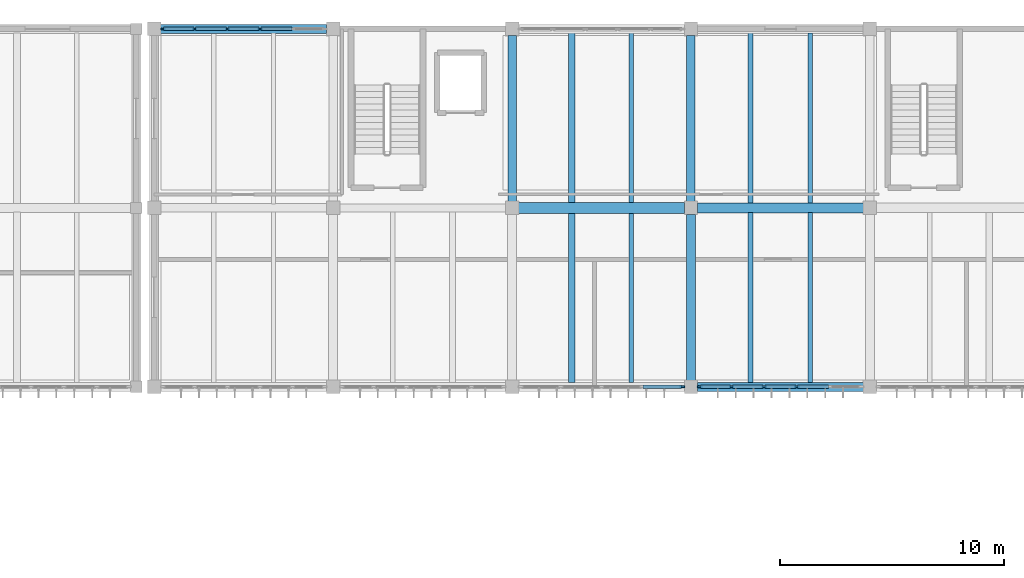
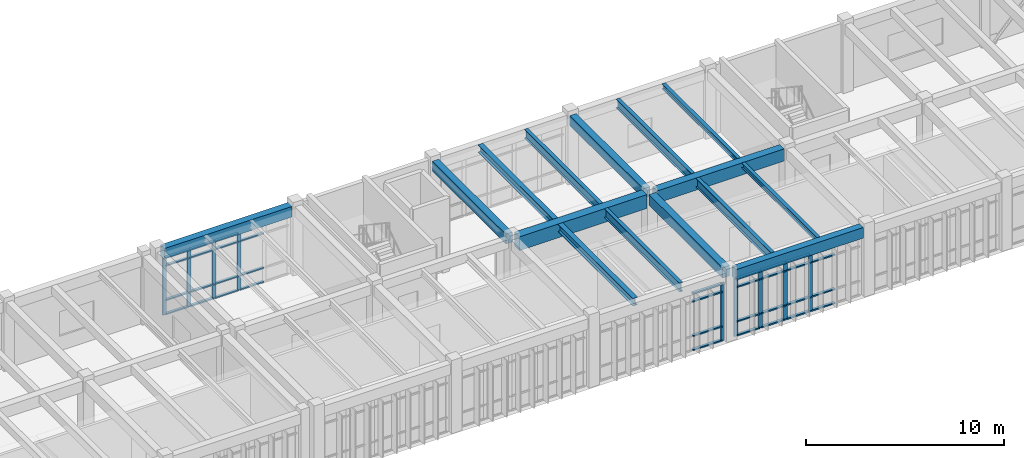
# One storey, part 28 of 79: 44 members, 15 beams, 3 elements without a shape of their own.
"""IFC4 building model written with IfcOpenShell, lengths in metres."""

from ifc_helpers import new_model, si_unit, direction, frame, origin, origin_2d, place, context, subcontext, project, spatial, rectangle, i_section, extrude, material, material_profile, profile_set, type_object, element, aggregate, save


model = new_model("IFC4")

# Units and contexts
model_context = context("Model", 3, precision=1e-05, world=origin(), true_north=direction((0.0, 1.0)))
body_context = subcontext(model_context, "Body", "Model", "MODEL_VIEW")
ifc_project = project(units=[si_unit("LENGTHUNIT", "METRE"), si_unit("AREAUNIT", "SQUARE_METRE"), si_unit("VOLUMEUNIT", "CUBIC_METRE"), si_unit("PLANEANGLEUNIT", "RADIAN"), si_unit("MASSUNIT", "GRAM", prefix="KILO")], contexts=[model_context])

# Site, building, storey
site_placement = place(None, origin())
site = spatial("IfcSite", under=ifc_project, at=site_placement, CompositionType="ELEMENT")
building_placement = place(site_placement, origin())
building = spatial("IfcBuilding", under=site, at=building_placement, Name="Tlaxcora Railside Police Headquarters", CompositionType="ELEMENT")
storey_placement = place(building_placement, frame((0.0, 0.0, 9.0)))
storey = spatial("IfcBuildingStorey", under=building, at=storey_placement, Name="L02", CompositionType="ELEMENT", Elevation=9.0)

# Curtain wall, members
ifc_material_1 = material(Name="Thermally broken low-E insulated glazing", Category="glass")
curtain_wall_type_1 = type_object("IfcCurtainWallType", Name="Unitised Curtain Wall Assembly CW-23", PredefinedType="NOTDEFINED", material=ifc_material_1)
curtain_wall_1_placement = place(storey_placement, origin())
curtain_wall_1 = element("IfcCurtainWall", 1, at=curtain_wall_1_placement, inside=storey, type_object=curtain_wall_type_1, Name="V6 L02 curtain wall 156", PredefinedType="NOTDEFINED")
ifc_material_2 = material(Name="Anodised aluminium framing", Category="aluminium")
ifc_material_profile_1 = material_profile(ifc_material_2, rectangle(XDim=0.080078125, YDim=0.219970703125, at=origin_2d()), Name="AL80X220")
ifc_profile_set_1 = profile_set([ifc_material_profile_1], Name="Anodised aluminium framing")
member_type_1 = type_object("IfcMemberType", Name="Curtain Wall Mullion CW-31", PredefinedType="MULLION", material=ifc_profile_set_1)
member_1_placement = place(storey_placement, frame((127.18994140625, 76.800048828125, 0.0), z_axis=(0.0, 0.0, 1.0), x_axis=(0.0, 1.0, 0.0)))
member_1 = element("IfcMember", 2, at=member_1_placement, type_object=member_type_1, Name="CW mullion 1", PredefinedType="MULLION", context=body_context, shape_type="SweptSolid", body=[
    extrude(rectangle(XDim=0.080078125, YDim=0.219970703125, at=origin_2d()), origin(), (0.0, 0.0, 1.0), 3.550048828125),
])
member_2_placement = place(storey_placement, frame((128.610107421875, 76.800048828125, 0.0), z_axis=(0.0, 0.0, 1.0), x_axis=(0.0, 1.0, 0.0)))
member_2 = element("IfcMember", 3, at=member_2_placement, type_object=member_type_1, Name="CW mullion 2", PredefinedType="MULLION", context=body_context, shape_type="SweptSolid", body=[
    extrude(rectangle(XDim=0.080078125, YDim=0.219970703125, at=origin_2d()), origin(), (0.0, 0.0, 1.0), 3.550048828125),
])
member_3_placement = place(storey_placement, frame((130.070068359375, 76.800048828125, 0.0), z_axis=(0.0, 0.0, 1.0), x_axis=(0.0, 1.0, 0.0)))
member_3 = element("IfcMember", 4, at=member_3_placement, type_object=member_type_1, Name="CW mullion 3", PredefinedType="MULLION", context=body_context, shape_type="SweptSolid", body=[
    extrude(rectangle(XDim=0.080078125, YDim=0.219970703125, at=origin_2d()), origin(), (0.0, 0.0, 1.0), 3.550048828125),
])
member_4_placement = place(storey_placement, frame((131.530029296875, 76.800048828125, 0.0), z_axis=(0.0, 0.0, 1.0), x_axis=(0.0, 1.0, 0.0)))
member_4 = element("IfcMember", 5, at=member_4_placement, type_object=member_type_1, Name="CW mullion 4", PredefinedType="MULLION", context=body_context, shape_type="SweptSolid", body=[
    extrude(rectangle(XDim=0.080078125, YDim=0.219970703125, at=origin_2d()), origin(), (0.0, 0.0, 1.0), 3.550048828125),
])

curtain_wall_type_2 = type_object("IfcCurtainWallType", Name="Unitised Curtain Wall Assembly CW-38", PredefinedType="NOTDEFINED", material=ifc_material_1)
curtain_wall_2_placement = place(storey_placement, origin())
curtain_wall_2 = element("IfcCurtainWall", 6, at=curtain_wall_2_placement, inside=storey, type_object=curtain_wall_type_2, Name="V6 L02 curtain wall 161", PredefinedType="NOTDEFINED")
ifc_material_profile_2 = material_profile(ifc_material_2, rectangle(XDim=0.074951171875, YDim=0.205078125, at=origin_2d()), Name="AL75X205")
ifc_profile_set_2 = profile_set([ifc_material_profile_2], Name="Anodised aluminium framing")
member_type_2 = type_object("IfcMemberType", Name="Curtain Wall Mullion CW-32", PredefinedType="MULLION", material=ifc_profile_set_2)
member_5_placement = place(storey_placement, frame((107.530029296875, 92.800048828125, 0.0), z_axis=(0.0, 0.0, 1.0), x_axis=(0.0, -1.0, 0.0)))
member_5 = element("IfcMember", 7, at=member_5_placement, type_object=member_type_2, Name="CW mullion 3", PredefinedType="MULLION", context=body_context, shape_type="SweptSolid", body=[
    extrude(rectangle(XDim=0.074951171875, YDim=0.205078125, at=origin_2d()), origin(), (0.0, 0.0, 1.0), 3.550048828125),
])
member_6_placement = place(storey_placement, frame((106.070068359375, 92.800048828125, 0.0), z_axis=(0.0, 0.0, 1.0), x_axis=(0.0, -1.0, 0.0)))
member_6 = element("IfcMember", 8, at=member_6_placement, type_object=member_type_2, Name="CW mullion 4", PredefinedType="MULLION", context=body_context, shape_type="SweptSolid", body=[
    extrude(rectangle(XDim=0.074951171875, YDim=0.205078125, at=origin_2d()), origin(), (0.0, 0.0, 1.0), 3.550048828125),
])
member_7_placement = place(storey_placement, frame((104.610107421875, 92.800048828125, 0.0), z_axis=(0.0, 0.0, 1.0), x_axis=(0.0, -1.0, 0.0)))
member_7 = element("IfcMember", 9, at=member_7_placement, type_object=member_type_2, Name="CW mullion 5", PredefinedType="MULLION", context=body_context, shape_type="SweptSolid", body=[
    extrude(rectangle(XDim=0.074951171875, YDim=0.205078125, at=origin_2d()), origin(), (0.0, 0.0, 1.0), 3.550048828125),
])
member_8_placement = place(storey_placement, frame((103.1875, 92.800048828125, 0.0), z_axis=(0.0, 0.0, 1.0), x_axis=(0.0, -1.0, 0.0)))
member_8 = element("IfcMember", 10, at=member_8_placement, type_object=member_type_2, Name="CW mullion 6", PredefinedType="MULLION", context=body_context, shape_type="SweptSolid", body=[
    extrude(rectangle(XDim=0.074951171875, YDim=0.205078125, at=origin_2d()), origin(), (0.0, 0.0, 1.0), 3.550048828125),
])

# Curtain wall, member
curtain_wall_type_3 = type_object("IfcCurtainWallType", Name="Unitised Curtain Wall Assembly CW-83", PredefinedType="NOTDEFINED", material=ifc_material_1)
curtain_wall_3_placement = place(storey_placement, origin())
curtain_wall_3 = element("IfcCurtainWall", 11, at=curtain_wall_3_placement, inside=storey, type_object=curtain_wall_type_3, Name="V6 L02 curtain wall 155", PredefinedType="NOTDEFINED")
ifc_material_profile_3 = material_profile(ifc_material_2, rectangle(XDim=0.080078125, YDim=0.2099609375, at=origin_2d()), Name="AL80X210")
ifc_profile_set_3 = profile_set([ifc_material_profile_3], Name="Anodised aluminium framing")
member_type_3 = type_object("IfcMemberType", Name="Curtain Wall Mullion CW-76", PredefinedType="MULLION", material=ifc_profile_set_3)
member_9_placement = place(storey_placement, frame((126.409912109375, 76.800048828125, 0.0), z_axis=(0.0, 0.0, 1.0), x_axis=(0.0, 1.0, 0.0)))
member_9 = element("IfcMember", 12, at=member_9_placement, type_object=member_type_3, Name="CW mullion 5", PredefinedType="MULLION", context=body_context, shape_type="SweptSolid", body=[
    extrude(rectangle(XDim=0.080078125, YDim=0.2099609375, at=origin_2d()), origin(), (0.0, 0.0, 1.0), 3.550048828125),
])

# Member
ifc_material_profile_4 = material_profile(ifc_material_2, rectangle(XDim=0.155029296875, YDim=0.074951171875, at=origin_2d()), Name="AL75X155")
ifc_profile_set_4 = profile_set([ifc_material_profile_4], Name="Anodised aluminium framing")
member_type_4 = type_object("IfcMemberType", Name="Curtain Wall Transom CW-30", PredefinedType="USERDEFINED", material=ifc_profile_set_4)
member_10_placement = place(storey_placement, frame((108.952392578125, 92.800048828125, 0.03759765625), z_axis=(-1.0, 0.0, 0.0), x_axis=(0.0, -1.0, 0.0)))
member_10 = element("IfcMember", 13, at=member_10_placement, type_object=member_type_4, Name="CW transom 2.1", ObjectType="TRANSOM", PredefinedType="USERDEFINED", context=body_context, shape_type="SweptSolid", body=[
    extrude(rectangle(XDim=0.155029296875, YDim=0.074951171875, at=origin_2d()), origin(), (0.0, 0.0, 1.0), 1.385009765625),
])

member_11_placement = place(storey_placement, frame((108.952392578125, 92.800048828125, 0.89990234375), z_axis=(-1.0, 0.0, 0.0), x_axis=(0.0, -1.0, 0.0)))
member_11 = element("IfcMember", 14, at=member_11_placement, type_object=member_type_4, Name="CW transom 2.2", ObjectType="TRANSOM", PredefinedType="USERDEFINED", context=body_context, shape_type="SweptSolid", body=[
    extrude(rectangle(XDim=0.155029296875, YDim=0.074951171875, at=origin_2d()), origin(), (0.0, 0.0, 1.0), 1.385009765625),
])

member_12_placement = place(storey_placement, frame((108.952392578125, 92.800048828125, 3.02001953125), z_axis=(-1.0, 0.0, 0.0), x_axis=(0.0, -1.0, 0.0)))
member_12 = element("IfcMember", 15, at=member_12_placement, type_object=member_type_4, Name="CW transom 2.3", ObjectType="TRANSOM", PredefinedType="USERDEFINED", context=body_context, shape_type="SweptSolid", body=[
    extrude(rectangle(XDim=0.155029296875, YDim=0.074951171875, at=origin_2d()), origin(), (0.0, 0.0, 1.0), 1.385009765625),
])

member_13_placement = place(storey_placement, frame((107.492431640625, 92.800048828125, 0.03759765625), z_axis=(-1.0, 0.0, 0.0), x_axis=(0.0, -1.0, 0.0)))
member_13 = element("IfcMember", 16, at=member_13_placement, type_object=member_type_4, Name="CW transom 3.1", ObjectType="TRANSOM", PredefinedType="USERDEFINED", context=body_context, shape_type="SweptSolid", body=[
    extrude(rectangle(XDim=0.155029296875, YDim=0.074951171875, at=origin_2d()), origin(), (0.0, 0.0, 1.0), 1.385009765625),
])

member_14_placement = place(storey_placement, frame((107.492431640625, 92.800048828125, 0.89990234375), z_axis=(-1.0, 0.0, 0.0), x_axis=(0.0, -1.0, 0.0)))
member_14 = element("IfcMember", 17, at=member_14_placement, type_object=member_type_4, Name="CW transom 3.2", ObjectType="TRANSOM", PredefinedType="USERDEFINED", context=body_context, shape_type="SweptSolid", body=[
    extrude(rectangle(XDim=0.155029296875, YDim=0.074951171875, at=origin_2d()), origin(), (0.0, 0.0, 1.0), 1.385009765625),
])

member_15_placement = place(storey_placement, frame((107.492431640625, 92.800048828125, 3.02001953125), z_axis=(-1.0, 0.0, 0.0), x_axis=(0.0, -1.0, 0.0)))
member_15 = element("IfcMember", 18, at=member_15_placement, type_object=member_type_4, Name="CW transom 3.3", ObjectType="TRANSOM", PredefinedType="USERDEFINED", context=body_context, shape_type="SweptSolid", body=[
    extrude(rectangle(XDim=0.155029296875, YDim=0.074951171875, at=origin_2d()), origin(), (0.0, 0.0, 1.0), 1.385009765625),
])

member_16_placement = place(storey_placement, frame((107.492431640625, 92.800048828125, 3.512451171875), z_axis=(-1.0, 0.0, 0.0), x_axis=(0.0, -1.0, 0.0)))
member_16 = element("IfcMember", 19, at=member_16_placement, type_object=member_type_4, Name="CW transom 3.4", ObjectType="TRANSOM", PredefinedType="USERDEFINED", context=body_context, shape_type="SweptSolid", body=[
    extrude(rectangle(XDim=0.155029296875, YDim=0.074951171875, at=origin_2d()), origin(), (0.0, 0.0, 1.0), 1.385009765625),
])

member_17_placement = place(storey_placement, frame((106.032470703125, 92.800048828125, 0.03759765625), z_axis=(-1.0, 0.0, 0.0), x_axis=(0.0, -1.0, 0.0)))
member_17 = element("IfcMember", 20, at=member_17_placement, type_object=member_type_4, Name="CW transom 4.1", ObjectType="TRANSOM", PredefinedType="USERDEFINED", context=body_context, shape_type="SweptSolid", body=[
    extrude(rectangle(XDim=0.155029296875, YDim=0.074951171875, at=origin_2d()), origin(), (0.0, 0.0, 1.0), 1.385009765625),
])

member_18_placement = place(storey_placement, frame((106.032470703125, 92.800048828125, 0.89990234375), z_axis=(-1.0, 0.0, 0.0), x_axis=(0.0, -1.0, 0.0)))
member_18 = element("IfcMember", 21, at=member_18_placement, type_object=member_type_4, Name="CW transom 4.2", ObjectType="TRANSOM", PredefinedType="USERDEFINED", context=body_context, shape_type="SweptSolid", body=[
    extrude(rectangle(XDim=0.155029296875, YDim=0.074951171875, at=origin_2d()), origin(), (0.0, 0.0, 1.0), 1.385009765625),
])

member_19_placement = place(storey_placement, frame((106.032470703125, 92.800048828125, 3.02001953125), z_axis=(-1.0, 0.0, 0.0), x_axis=(0.0, -1.0, 0.0)))
member_19 = element("IfcMember", 22, at=member_19_placement, type_object=member_type_4, Name="CW transom 4.3", ObjectType="TRANSOM", PredefinedType="USERDEFINED", context=body_context, shape_type="SweptSolid", body=[
    extrude(rectangle(XDim=0.155029296875, YDim=0.074951171875, at=origin_2d()), origin(), (0.0, 0.0, 1.0), 1.385009765625),
])

member_20_placement = place(storey_placement, frame((106.032470703125, 92.800048828125, 3.512451171875), z_axis=(-1.0, 0.0, 0.0), x_axis=(0.0, -1.0, 0.0)))
member_20 = element("IfcMember", 23, at=member_20_placement, type_object=member_type_4, Name="CW transom 4.4", ObjectType="TRANSOM", PredefinedType="USERDEFINED", context=body_context, shape_type="SweptSolid", body=[
    extrude(rectangle(XDim=0.155029296875, YDim=0.074951171875, at=origin_2d()), origin(), (0.0, 0.0, 1.0), 1.385009765625),
])

member_21_placement = place(storey_placement, frame((104.572509765625, 92.800048828125, 0.03759765625), z_axis=(-1.0, 0.0, 0.0), x_axis=(0.0, -1.0, 0.0)))
member_21 = element("IfcMember", 24, at=member_21_placement, type_object=member_type_4, Name="CW transom 5.1", ObjectType="TRANSOM", PredefinedType="USERDEFINED", context=body_context, shape_type="SweptSolid", body=[
    extrude(rectangle(XDim=0.155029296875, YDim=0.074951171875, at=origin_2d()), origin(), (0.0, 0.0, 1.0), 1.347412109375),
])

member_22_placement = place(storey_placement, frame((104.572509765625, 92.800048828125, 0.89990234375), z_axis=(-1.0, 0.0, 0.0), x_axis=(0.0, -1.0, 0.0)))
member_22 = element("IfcMember", 25, at=member_22_placement, type_object=member_type_4, Name="CW transom 5.2", ObjectType="TRANSOM", PredefinedType="USERDEFINED", context=body_context, shape_type="SweptSolid", body=[
    extrude(rectangle(XDim=0.155029296875, YDim=0.074951171875, at=origin_2d()), origin(), (0.0, 0.0, 1.0), 1.347412109375),
])

member_23_placement = place(storey_placement, frame((104.572509765625, 92.800048828125, 3.02001953125), z_axis=(-1.0, 0.0, 0.0), x_axis=(0.0, -1.0, 0.0)))
member_23 = element("IfcMember", 26, at=member_23_placement, type_object=member_type_4, Name="CW transom 5.3", ObjectType="TRANSOM", PredefinedType="USERDEFINED", context=body_context, shape_type="SweptSolid", body=[
    extrude(rectangle(XDim=0.155029296875, YDim=0.074951171875, at=origin_2d()), origin(), (0.0, 0.0, 1.0), 1.347412109375),
])

member_24_placement = place(storey_placement, frame((104.572509765625, 92.800048828125, 3.512451171875), z_axis=(-1.0, 0.0, 0.0), x_axis=(0.0, -1.0, 0.0)))
member_24 = element("IfcMember", 27, at=member_24_placement, type_object=member_type_4, Name="CW transom 5.4", ObjectType="TRANSOM", PredefinedType="USERDEFINED", context=body_context, shape_type="SweptSolid", body=[
    extrude(rectangle(XDim=0.155029296875, YDim=0.074951171875, at=origin_2d()), origin(), (0.0, 0.0, 1.0), 1.347412109375),
])

aggregate(curtain_wall_2, [member_5, member_6, member_7, member_8, member_10, member_11, member_12, member_13, member_14, member_15, member_16, member_17, member_18, member_19, member_20, member_21, member_22, member_23, member_24])

ifc_material_profile_5 = material_profile(ifc_material_2, rectangle(XDim=0.1650390625, YDim=0.080078125, at=origin_2d()), Name="AL80X165")
ifc_profile_set_5 = profile_set([ifc_material_profile_5], Name="Anodised aluminium framing")
member_type_5 = type_object("IfcMemberType", Name="Curtain Wall Transom CW-62", PredefinedType="USERDEFINED", material=ifc_profile_set_5)
member_25_placement = place(storey_placement, frame((127.22998046875, 76.800048828125, 0.0400390625), z_axis=(1.0, 0.0, 0.0), x_axis=(0.0, 1.0, 0.0)))
member_25 = element("IfcMember", 28, at=member_25_placement, type_object=member_type_5, Name="CW transom 1.1", ObjectType="TRANSOM", PredefinedType="USERDEFINED", context=body_context, shape_type="SweptSolid", body=[
    extrude(rectangle(XDim=0.1650390625, YDim=0.080078125, at=origin_2d()), origin(), (0.0, 0.0, 1.0), 1.340087890625),
])

member_26_placement = place(storey_placement, frame((127.22998046875, 76.800048828125, 0.89990234375), z_axis=(1.0, 0.0, 0.0), x_axis=(0.0, 1.0, 0.0)))
member_26 = element("IfcMember", 29, at=member_26_placement, type_object=member_type_5, Name="CW transom 1.2", ObjectType="TRANSOM", PredefinedType="USERDEFINED", context=body_context, shape_type="SweptSolid", body=[
    extrude(rectangle(XDim=0.1650390625, YDim=0.080078125, at=origin_2d()), origin(), (0.0, 0.0, 1.0), 1.340087890625),
])

member_27_placement = place(storey_placement, frame((127.22998046875, 76.800048828125, 3.02001953125), z_axis=(1.0, 0.0, 0.0), x_axis=(0.0, 1.0, 0.0)))
member_27 = element("IfcMember", 30, at=member_27_placement, type_object=member_type_5, Name="CW transom 1.3", ObjectType="TRANSOM", PredefinedType="USERDEFINED", context=body_context, shape_type="SweptSolid", body=[
    extrude(rectangle(XDim=0.1650390625, YDim=0.080078125, at=origin_2d()), origin(), (0.0, 0.0, 1.0), 1.340087890625),
])

member_28_placement = place(storey_placement, frame((127.22998046875, 76.800048828125, 3.510009765625), z_axis=(1.0, 0.0, 0.0), x_axis=(0.0, 1.0, 0.0)))
member_28 = element("IfcMember", 31, at=member_28_placement, type_object=member_type_5, Name="CW transom 1.4", ObjectType="TRANSOM", PredefinedType="USERDEFINED", context=body_context, shape_type="SweptSolid", body=[
    extrude(rectangle(XDim=0.1650390625, YDim=0.080078125, at=origin_2d()), origin(), (0.0, 0.0, 1.0), 1.340087890625),
])

member_29_placement = place(storey_placement, frame((128.64990234375, 76.800048828125, 0.0400390625), z_axis=(1.0, 0.0, 0.0), x_axis=(0.0, 1.0, 0.0)))
member_29 = element("IfcMember", 32, at=member_29_placement, type_object=member_type_5, Name="CW transom 2.1", ObjectType="TRANSOM", PredefinedType="USERDEFINED", context=body_context, shape_type="SweptSolid", body=[
    extrude(rectangle(XDim=0.1650390625, YDim=0.080078125, at=origin_2d()), origin(), (0.0, 0.0, 1.0), 1.380126953125),
])

member_30_placement = place(storey_placement, frame((128.64990234375, 76.800048828125, 0.89990234375), z_axis=(1.0, 0.0, 0.0), x_axis=(0.0, 1.0, 0.0)))
member_30 = element("IfcMember", 33, at=member_30_placement, type_object=member_type_5, Name="CW transom 2.2", ObjectType="TRANSOM", PredefinedType="USERDEFINED", context=body_context, shape_type="SweptSolid", body=[
    extrude(rectangle(XDim=0.1650390625, YDim=0.080078125, at=origin_2d()), origin(), (0.0, 0.0, 1.0), 1.380126953125),
])

member_31_placement = place(storey_placement, frame((128.64990234375, 76.800048828125, 3.02001953125), z_axis=(1.0, 0.0, 0.0), x_axis=(0.0, 1.0, 0.0)))
member_31 = element("IfcMember", 34, at=member_31_placement, type_object=member_type_5, Name="CW transom 2.3", ObjectType="TRANSOM", PredefinedType="USERDEFINED", context=body_context, shape_type="SweptSolid", body=[
    extrude(rectangle(XDim=0.1650390625, YDim=0.080078125, at=origin_2d()), origin(), (0.0, 0.0, 1.0), 1.380126953125),
])

member_32_placement = place(storey_placement, frame((128.64990234375, 76.800048828125, 3.510009765625), z_axis=(1.0, 0.0, 0.0), x_axis=(0.0, 1.0, 0.0)))
member_32 = element("IfcMember", 35, at=member_32_placement, type_object=member_type_5, Name="CW transom 2.4", ObjectType="TRANSOM", PredefinedType="USERDEFINED", context=body_context, shape_type="SweptSolid", body=[
    extrude(rectangle(XDim=0.1650390625, YDim=0.080078125, at=origin_2d()), origin(), (0.0, 0.0, 1.0), 1.380126953125),
])

member_33_placement = place(storey_placement, frame((130.110107421875, 76.800048828125, 0.0400390625), z_axis=(1.0, 0.0, 0.0), x_axis=(0.0, 1.0, 0.0)))
member_33 = element("IfcMember", 36, at=member_33_placement, type_object=member_type_5, Name="CW transom 3.1", ObjectType="TRANSOM", PredefinedType="USERDEFINED", context=body_context, shape_type="SweptSolid", body=[
    extrude(rectangle(XDim=0.1650390625, YDim=0.080078125, at=origin_2d()), origin(), (0.0, 0.0, 1.0), 1.3798828125),
])

member_34_placement = place(storey_placement, frame((130.110107421875, 76.800048828125, 0.89990234375), z_axis=(1.0, 0.0, 0.0), x_axis=(0.0, 1.0, 0.0)))
member_34 = element("IfcMember", 37, at=member_34_placement, type_object=member_type_5, Name="CW transom 3.2", ObjectType="TRANSOM", PredefinedType="USERDEFINED", context=body_context, shape_type="SweptSolid", body=[
    extrude(rectangle(XDim=0.1650390625, YDim=0.080078125, at=origin_2d()), origin(), (0.0, 0.0, 1.0), 1.3798828125),
])

member_35_placement = place(storey_placement, frame((130.110107421875, 76.800048828125, 3.02001953125), z_axis=(1.0, 0.0, 0.0), x_axis=(0.0, 1.0, 0.0)))
member_35 = element("IfcMember", 38, at=member_35_placement, type_object=member_type_5, Name="CW transom 3.3", ObjectType="TRANSOM", PredefinedType="USERDEFINED", context=body_context, shape_type="SweptSolid", body=[
    extrude(rectangle(XDim=0.1650390625, YDim=0.080078125, at=origin_2d()), origin(), (0.0, 0.0, 1.0), 1.3798828125),
])

member_36_placement = place(storey_placement, frame((130.110107421875, 76.800048828125, 3.510009765625), z_axis=(1.0, 0.0, 0.0), x_axis=(0.0, 1.0, 0.0)))
member_36 = element("IfcMember", 39, at=member_36_placement, type_object=member_type_5, Name="CW transom 3.4", ObjectType="TRANSOM", PredefinedType="USERDEFINED", context=body_context, shape_type="SweptSolid", body=[
    extrude(rectangle(XDim=0.1650390625, YDim=0.080078125, at=origin_2d()), origin(), (0.0, 0.0, 1.0), 1.3798828125),
])

member_37_placement = place(storey_placement, frame((131.570068359375, 76.800048828125, 0.0400390625), z_axis=(1.0, 0.0, 0.0), x_axis=(0.0, 1.0, 0.0)))
member_37 = element("IfcMember", 40, at=member_37_placement, type_object=member_type_5, Name="CW transom 4.1", ObjectType="TRANSOM", PredefinedType="USERDEFINED", context=body_context, shape_type="SweptSolid", body=[
    extrude(rectangle(XDim=0.1650390625, YDim=0.080078125, at=origin_2d()), origin(), (0.0, 0.0, 1.0), 1.3798828125),
])

member_38_placement = place(storey_placement, frame((131.570068359375, 76.800048828125, 0.89990234375), z_axis=(1.0, 0.0, 0.0), x_axis=(0.0, 1.0, 0.0)))
member_38 = element("IfcMember", 41, at=member_38_placement, type_object=member_type_5, Name="CW transom 4.2", ObjectType="TRANSOM", PredefinedType="USERDEFINED", context=body_context, shape_type="SweptSolid", body=[
    extrude(rectangle(XDim=0.1650390625, YDim=0.080078125, at=origin_2d()), origin(), (0.0, 0.0, 1.0), 1.3798828125),
])

member_39_placement = place(storey_placement, frame((131.570068359375, 76.800048828125, 3.02001953125), z_axis=(1.0, 0.0, 0.0), x_axis=(0.0, 1.0, 0.0)))
member_39 = element("IfcMember", 42, at=member_39_placement, type_object=member_type_5, Name="CW transom 4.3", ObjectType="TRANSOM", PredefinedType="USERDEFINED", context=body_context, shape_type="SweptSolid", body=[
    extrude(rectangle(XDim=0.1650390625, YDim=0.080078125, at=origin_2d()), origin(), (0.0, 0.0, 1.0), 1.3798828125),
])

member_40_placement = place(storey_placement, frame((131.570068359375, 76.800048828125, 3.510009765625), z_axis=(1.0, 0.0, 0.0), x_axis=(0.0, 1.0, 0.0)))
member_40 = element("IfcMember", 43, at=member_40_placement, type_object=member_type_5, Name="CW transom 4.4", ObjectType="TRANSOM", PredefinedType="USERDEFINED", context=body_context, shape_type="SweptSolid", body=[
    extrude(rectangle(XDim=0.1650390625, YDim=0.080078125, at=origin_2d()), origin(), (0.0, 0.0, 1.0), 1.3798828125),
])

aggregate(curtain_wall_1, [member_1, member_2, member_3, member_4, member_25, member_26, member_27, member_28, member_29, member_30, member_31, member_32, member_33, member_34, member_35, member_36, member_37, member_38, member_39, member_40])

ifc_material_profile_6 = material_profile(ifc_material_2, rectangle(XDim=0.159912109375, YDim=0.080078125, at=origin_2d()), Name="AL80X160")
ifc_profile_set_6 = profile_set([ifc_material_profile_6], Name="Anodised aluminium framing")
member_type_6 = type_object("IfcMemberType", Name="Curtain Wall Transom CW-82", PredefinedType="USERDEFINED", material=ifc_profile_set_6)
member_41_placement = place(storey_placement, frame((124.6650390625, 76.800048828125, 0.0400390625), z_axis=(1.0, 0.0, 0.0), x_axis=(0.0, 1.0, 0.0)))
member_41 = element("IfcMember", 44, at=member_41_placement, type_object=member_type_6, Name="CW transom 4.1", ObjectType="TRANSOM", PredefinedType="USERDEFINED", context=body_context, shape_type="SweptSolid", body=[
    extrude(rectangle(XDim=0.159912109375, YDim=0.080078125, at=origin_2d()), origin(), (0.0, 0.0, 1.0), 1.705078125),
])

member_42_placement = place(storey_placement, frame((124.6650390625, 76.800048828125, 0.89990234375), z_axis=(1.0, 0.0, 0.0), x_axis=(0.0, 1.0, 0.0)))
member_42 = element("IfcMember", 45, at=member_42_placement, type_object=member_type_6, Name="CW transom 4.2", ObjectType="TRANSOM", PredefinedType="USERDEFINED", context=body_context, shape_type="SweptSolid", body=[
    extrude(rectangle(XDim=0.159912109375, YDim=0.080078125, at=origin_2d()), origin(), (0.0, 0.0, 1.0), 1.705078125),
])

member_43_placement = place(storey_placement, frame((124.6650390625, 76.800048828125, 3.02001953125), z_axis=(1.0, 0.0, 0.0), x_axis=(0.0, 1.0, 0.0)))
member_43 = element("IfcMember", 46, at=member_43_placement, type_object=member_type_6, Name="CW transom 4.3", ObjectType="TRANSOM", PredefinedType="USERDEFINED", context=body_context, shape_type="SweptSolid", body=[
    extrude(rectangle(XDim=0.159912109375, YDim=0.080078125, at=origin_2d()), origin(), (0.0, 0.0, 1.0), 1.705078125),
])

member_44_placement = place(storey_placement, frame((124.6650390625, 76.800048828125, 3.510009765625), z_axis=(1.0, 0.0, 0.0), x_axis=(0.0, 1.0, 0.0)))
member_44 = element("IfcMember", 47, at=member_44_placement, type_object=member_type_6, Name="CW transom 4.4", ObjectType="TRANSOM", PredefinedType="USERDEFINED", context=body_context, shape_type="SweptSolid", body=[
    extrude(rectangle(XDim=0.159912109375, YDim=0.080078125, at=origin_2d()), origin(), (0.0, 0.0, 1.0), 1.705078125),
])

aggregate(curtain_wall_3, [member_9, member_41, member_42, member_43, member_44])

# Beams
ifc_material_3 = material(Name="Concrete C40/50", Category="concrete")
ifc_material_profile_7 = material_profile(ifc_material_3, rectangle(XDim=0.39990234375, YDim=0.64990234375, at=origin_2d()), Name="RC400X650")
ifc_profile_set_7 = profile_set([ifc_material_profile_7], Name="Concrete C40/50")
beam_type_1 = type_object("IfcBeamType", Name="Perimeter Spandrel Beam BM-46", PredefinedType="SPANDREL", material=ifc_profile_set_7)
for number, where, z_axis, x_axis, name in (
    (48, (127.090087890625, 76.800048828125, 3.89501953125), (1.0, 0.0, 0.0), (0.0, 1.0, 0.0), "V6 L02 X-girder Y=76.8"),
    (49, (103.090087890625, 92.800048828125, 3.89501953125), (1.0, 0.0, 0.0), (0.0, 1.0, 0.0), "V6 L02 X-girder Y=92.8"),
):
    element("IfcBeam", number, at=place(storey_placement, frame(where, z_axis=z_axis, x_axis=x_axis)), inside=storey, type_object=beam_type_1, Name=name, PredefinedType="SPANDREL", context=body_context, shape_type="SweptSolid", body=[
        extrude(rectangle(XDim=0.39990234375, YDim=0.64990234375, at=origin_2d()), origin(), (0.0, 0.0, 1.0), 7.419921875),
    ])
ifc_material_profile_8 = material_profile(ifc_material_3, rectangle(XDim=0.3798828125, YDim=0.60009765625, at=origin_2d()), Name="RC380X600")
ifc_profile_set_8 = profile_set([ifc_material_profile_8], Name="Concrete C40/50")
beam_type_2 = type_object("IfcBeamType", Name="Primary Frame Girder BM-22", PredefinedType="BEAM", material=ifc_profile_set_8)
for number, where, z_axis, x_axis, name in (
    (50, (118.800048828125, 85.090087890625, 3.919921875), (0.0, 1.0, 0.0), (-1.0, 0.0, 0.0), "V6 L02 Y-girder X=118.8"),
    (51, (126.800048828125, 85.090087890625, 3.919921875), (0.0, 1.0, 0.0), (-1.0, 0.0, 0.0), "V6 L02 Y-girder X=126.8"),
):
    element("IfcBeam", number, at=place(storey_placement, frame(where, z_axis=z_axis, x_axis=x_axis)), inside=storey, type_object=beam_type_2, Name=name, PredefinedType="BEAM", context=body_context, shape_type="SweptSolid", body=[
        extrude(rectangle(XDim=0.3798828125, YDim=0.60009765625, at=origin_2d()), origin(), (0.0, 0.0, 1.0), 7.419921875),
    ])
ifc_material_profile_9 = material_profile(ifc_material_3, rectangle(XDim=0.39990234375, YDim=0.64990234375, at=origin_2d()), Name="RC400X650")
ifc_profile_set_9 = profile_set([ifc_material_profile_9], Name="Concrete C40/50")
beam_type_3 = type_object("IfcBeamType", Name="Primary Frame Girder BM-41", PredefinedType="BEAM", material=ifc_profile_set_9)
beam_1_placement = place(storey_placement, frame((126.800048828125, 77.090087890625, 3.89501953125), z_axis=(0.0, 1.0, 0.0), x_axis=(-1.0, 0.0, 0.0)))
element("IfcBeam", 52, at=beam_1_placement, inside=storey, type_object=beam_type_3, Name="V6 L02 Y-girder X=126.8", PredefinedType="BEAM", context=body_context, shape_type="SweptSolid", body=[
    extrude(rectangle(XDim=0.39990234375, YDim=0.64990234375, at=origin_2d()), origin(), (0.0, 0.0, 1.0), 7.419921875),
])
ifc_material_profile_10 = material_profile(ifc_material_3, rectangle(XDim=0.5, YDim=0.85009765625, at=origin_2d()), Name="RC500X850")
ifc_profile_set_10 = profile_set([ifc_material_profile_10], Name="Concrete C40/50")
beam_type_4 = type_object("IfcBeamType", Name="Primary Frame Girder BM-64", PredefinedType="BEAM", material=ifc_profile_set_10)
beam_2_placement = place(storey_placement, frame((119.090087890625, 84.800048828125, 3.794921875), z_axis=(1.0, 0.0, 0.0), x_axis=(0.0, 1.0, 0.0)))
element("IfcBeam", 53, at=beam_2_placement, inside=storey, type_object=beam_type_4, Name="V6 L02 X-girder Y=84.8", PredefinedType="BEAM", context=body_context, shape_type="SweptSolid", body=[
    extrude(rectangle(XDim=0.5, YDim=0.85009765625, at=origin_2d()), origin(), (0.0, 0.0, 1.0), 7.419921875),
])
ifc_material_profile_11 = material_profile(ifc_material_3, rectangle(XDim=0.449951171875, YDim=0.75, at=origin_2d()), Name="RC450X750")
ifc_profile_set_11 = profile_set([ifc_material_profile_11], Name="Concrete C40/50")
beam_type_5 = type_object("IfcBeamType", Name="Primary Frame Girder BM-73", PredefinedType="BEAM", material=ifc_profile_set_11)
beam_3_placement = place(storey_placement, frame((127.090087890625, 84.800048828125, 3.844970703125), z_axis=(1.0, 0.0, 0.0), x_axis=(0.0, 1.0, 0.0)))
element("IfcBeam", 54, at=beam_3_placement, inside=storey, type_object=beam_type_5, Name="V6 L02 X-girder Y=84.8", PredefinedType="BEAM", context=body_context, shape_type="SweptSolid", body=[
    extrude(rectangle(XDim=0.449951171875, YDim=0.75, at=origin_2d()), origin(), (0.0, 0.0, 1.0), 7.419921875),
])
ifc_material_4 = material(Name="Steel ASTM A992 Grade 50", Category="steel")
ifc_material_profile_12 = material_profile(ifc_material_4, i_section(OverallWidth=0.280029296875, OverallDepth=0.4619140625, WebThickness=0.0107421875, FlangeThickness=0.017333984375, at=origin_2d()), Name="W18X76")
ifc_profile_set_12 = profile_set([ifc_material_profile_12], Name="Steel ASTM A992 Grade 50")
beam_type_6 = type_object("IfcBeamType", Name="Secondary Floor Joist BM-44", PredefinedType="JOIST", material=ifc_profile_set_12)
beam_4_placement = place(storey_placement, frame((121.466796875, 76.991943359375, 3.989013671875), z_axis=(0.0, 1.0, 0.0), x_axis=(-1.0, 0.0, 0.0)))
element("IfcBeam", 55, at=beam_4_placement, inside=storey, type_object=beam_type_6, Name="V6 L02 floor joist X=121.47", PredefinedType="JOIST", context=body_context, shape_type="SweptSolid", body=[
    extrude(i_section(OverallWidth=0.280029296875, OverallDepth=0.4619140625, WebThickness=0.0107421875, FlangeThickness=0.017333984375, at=origin_2d()), origin(), (0.0, 0.0, 1.0), 7.566162109375),
])
beam_5_placement = place(storey_placement, frame((121.466796875, 85.0419921875, 3.989013671875), z_axis=(0.0, 1.0, 0.0), x_axis=(-1.0, 0.0, 0.0)))
element("IfcBeam", 56, at=beam_5_placement, inside=storey, type_object=beam_type_6, Name="V6 L02 floor joist X=121.47", PredefinedType="JOIST", context=body_context, shape_type="SweptSolid", body=[
    extrude(i_section(OverallWidth=0.280029296875, OverallDepth=0.4619140625, WebThickness=0.0107421875, FlangeThickness=0.017333984375, at=origin_2d()), origin(), (0.0, 0.0, 1.0), 7.56591796875),
])
ifc_material_profile_13 = material_profile(ifc_material_4, i_section(OverallWidth=0.202880859375, OverallDepth=0.302978515625, WebThickness=0.007568359375, FlangeThickness=0.01318359375, at=origin_2d()), Name="W12X40")
ifc_profile_set_13 = profile_set([ifc_material_profile_13], Name="Steel ASTM A992 Grade 50")
beam_type_7 = type_object("IfcBeamType", Name="Secondary Floor Joist BM-96", PredefinedType="JOIST", material=ifc_profile_set_13)
beam_6_placement = place(storey_placement, frame((132.13330078125, 76.991943359375, 4.068603515625), z_axis=(0.0, 1.0, 0.0), x_axis=(-1.0, 0.0, 0.0)))
element("IfcBeam", 57, at=beam_6_placement, inside=storey, type_object=beam_type_7, Name="V6 L02 floor joist X=132.13", PredefinedType="JOIST", context=body_context, shape_type="SweptSolid", body=[
    extrude(i_section(OverallWidth=0.202880859375, OverallDepth=0.302978515625, WebThickness=0.007568359375, FlangeThickness=0.01318359375, at=origin_2d()), origin(), (0.0, 0.0, 1.0), 7.591064453125),
])
beam_7_placement = place(storey_placement, frame((132.13330078125, 85.01708984375, 4.068603515625), z_axis=(0.0, 1.0, 0.0), x_axis=(-1.0, 0.0, 0.0)))
element("IfcBeam", 58, at=beam_7_placement, inside=storey, type_object=beam_type_7, Name="V6 L02 floor joist X=132.13", PredefinedType="JOIST", context=body_context, shape_type="SweptSolid", body=[
    extrude(i_section(OverallWidth=0.202880859375, OverallDepth=0.302978515625, WebThickness=0.007568359375, FlangeThickness=0.01318359375, at=origin_2d()), origin(), (0.0, 0.0, 1.0), 7.5908203125),
])
ifc_material_profile_14 = material_profile(ifc_material_4, i_section(OverallWidth=0.214111328125, OverallDepth=0.549072265625, WebThickness=0.0146484375, FlangeThickness=0.023681640625, at=origin_2d()), Name="W21X93")
ifc_profile_set_14 = profile_set([ifc_material_profile_14], Name="Steel ASTM A992 Grade 50")
beam_type_8 = type_object("IfcBeamType", Name="Secondary Floor Joist BM-97", PredefinedType="JOIST", material=ifc_profile_set_14)
beam_8_placement = place(storey_placement, frame((124.13330078125, 76.991943359375, 3.945556640625), z_axis=(0.0, 1.0, 0.0), x_axis=(-1.0, 0.0, 0.0)))
element("IfcBeam", 59, at=beam_8_placement, inside=storey, type_object=beam_type_8, Name="V6 L02 floor joist X=124.13", PredefinedType="JOIST", context=body_context, shape_type="SweptSolid", body=[
    extrude(i_section(OverallWidth=0.214111328125, OverallDepth=0.549072265625, WebThickness=0.0146484375, FlangeThickness=0.023681640625, at=origin_2d()), origin(), (0.0, 0.0, 1.0), 7.566162109375),
])
beam_9_placement = place(storey_placement, frame((129.466796875, 76.991943359375, 3.945556640625), z_axis=(0.0, 1.0, 0.0), x_axis=(-1.0, 0.0, 0.0)))
element("IfcBeam", 60, at=beam_9_placement, inside=storey, type_object=beam_type_8, Name="V6 L02 floor joist X=129.47", PredefinedType="JOIST", context=body_context, shape_type="SweptSolid", body=[
    extrude(i_section(OverallWidth=0.214111328125, OverallDepth=0.549072265625, WebThickness=0.0146484375, FlangeThickness=0.023681640625, at=origin_2d()), origin(), (0.0, 0.0, 1.0), 7.591064453125),
])
beam_10_placement = place(storey_placement, frame((124.13330078125, 85.0419921875, 3.945556640625), z_axis=(0.0, 1.0, 0.0), x_axis=(-1.0, 0.0, 0.0)))
element("IfcBeam", 61, at=beam_10_placement, inside=storey, type_object=beam_type_8, Name="V6 L02 floor joist X=124.13", PredefinedType="JOIST", context=body_context, shape_type="SweptSolid", body=[
    extrude(i_section(OverallWidth=0.214111328125, OverallDepth=0.549072265625, WebThickness=0.0146484375, FlangeThickness=0.023681640625, at=origin_2d()), origin(), (0.0, 0.0, 1.0), 7.56591796875),
])
beam_11_placement = place(storey_placement, frame((129.466796875, 85.01708984375, 3.945556640625), z_axis=(0.0, 1.0, 0.0), x_axis=(-1.0, 0.0, 0.0)))
element("IfcBeam", 62, at=beam_11_placement, inside=storey, type_object=beam_type_8, Name="V6 L02 floor joist X=129.47", PredefinedType="JOIST", context=body_context, shape_type="SweptSolid", body=[
    extrude(i_section(OverallWidth=0.214111328125, OverallDepth=0.549072265625, WebThickness=0.0146484375, FlangeThickness=0.023681640625, at=origin_2d()), origin(), (0.0, 0.0, 1.0), 7.5908203125),
])

save(model, "model.ifc")
